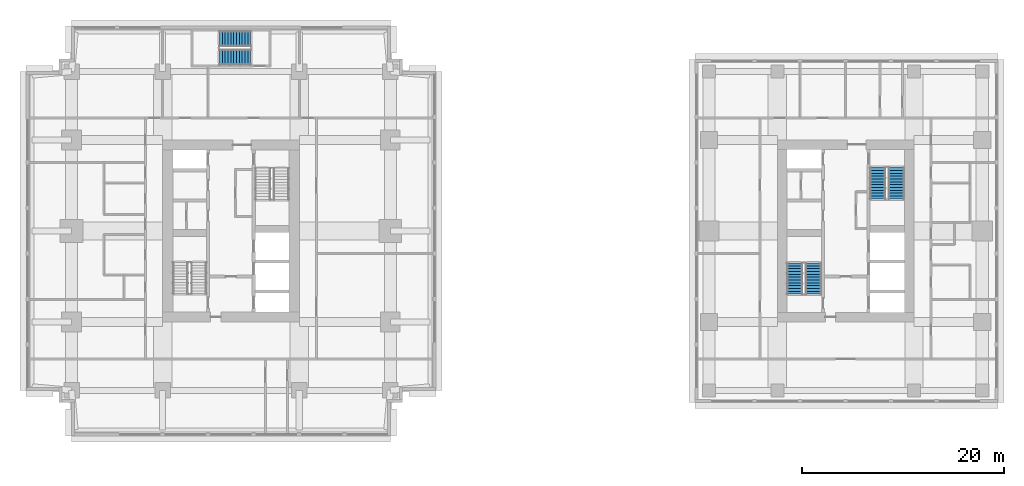
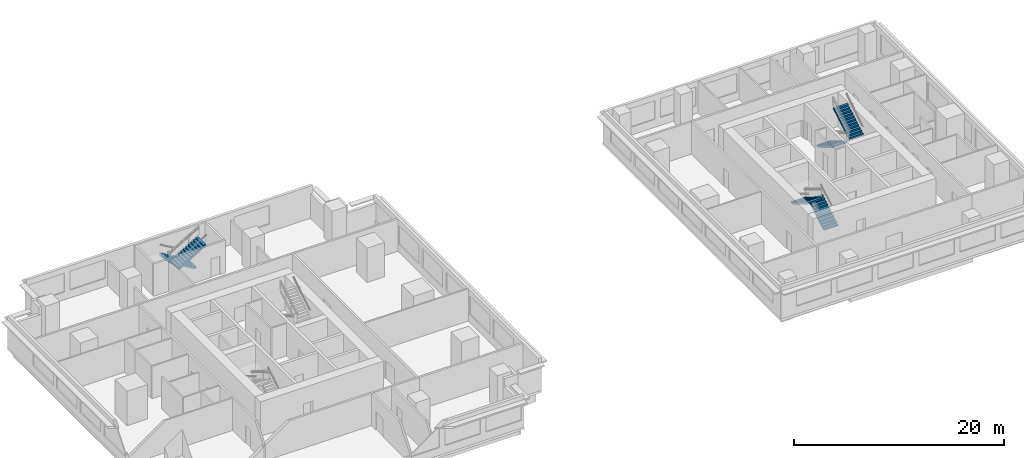
# One storey, part 9 of 11: 6 stair flights, 3 elements without a shape of their own.
"""IFC4 building model written with IfcOpenShell, lengths in metres."""

from ifc_helpers import new_model, si_unit, direction, frame, origin, place, context, subcontext, project, spatial, polyline, outline, extrude, material, type_object, element, aggregate, save


model = new_model("IFC4")

# Units and contexts
model_context = context("Model", 3, precision=1e-05, world=origin(), true_north=direction((0.0, 1.0)))
body_context = subcontext(model_context, "Body", "Model", "MODEL_VIEW")
ifc_project = project(units=[si_unit("LENGTHUNIT", "METRE"), si_unit("AREAUNIT", "SQUARE_METRE"), si_unit("VOLUMEUNIT", "CUBIC_METRE"), si_unit("PLANEANGLEUNIT", "RADIAN"), si_unit("MASSUNIT", "GRAM", prefix="KILO")], contexts=[model_context])

# Site, building, storey
site_placement = place(None, origin())
site = spatial("IfcSite", under=ifc_project, at=site_placement, CompositionType="ELEMENT")
building_placement = place(site_placement, origin())
building = spatial("IfcBuilding", under=site, at=building_placement, Name="Namib Vertical Campus", CompositionType="ELEMENT")
storey_placement = place(building_placement, frame((0.0, 0.0, 209.0)))
storey = spatial("IfcBuildingStorey", under=building, at=storey_placement, Name="L49", CompositionType="ELEMENT", Elevation=209.0)

# Stair, stair flights
ifc_material_1 = material(Name="Concrete C40/50 precast", Category="concrete")
stair_type_1 = type_object("IfcStairType", Name="Exit stair 4000 rise 24 risers 3350 wide", PredefinedType="HALF_TURN_STAIR", material=ifc_material_1)
stair_1_placement = place(storey_placement, origin())
stair_1 = element("IfcStair", 1, at=stair_1_placement, inside=storey, type_object=stair_type_1, Name="Exit stair A-S3 L49", PredefinedType="HALF_TURN_STAIR")
ifc_material_2 = material(Name="Concrete C40/50 precast", Category="concrete")
stair_flight_type_1 = type_object("IfcStairFlightType", Name="Stair flight 12 risers 167 1525 wide", PredefinedType="STRAIGHT", material=ifc_material_2)
stair_flight_1_placement = place(storey_placement, frame((22.199951171875, 39.237548828125, 0.0), z_axis=(0.0, 0.0, 1.0), x_axis=(-1.0, 0.0, 0.0)))
stair_flight_1 = element("IfcStairFlight", 2, at=stair_flight_1_placement, type_object=stair_flight_type_1, Name="A-S3 flight 1", NumberOfRisers=12, NumberOfTreads=11, PredefinedType="STRAIGHT", RiserHeight=0.166666667, TreadLength=0.28, context=body_context, shape_type="SweptSolid", body=[
    extrude(outline(polyline([(0.0, 0.0), (0.0, 0.166748046875), (0.280029296875, 0.166748046875), (0.280029296875, 0.333251953125), (0.56005859375, 0.333251953125), (0.56005859375, 0.5), (0.840087890625, 0.5), (0.840087890625, 0.666748046875), (1.1201171875, 0.666748046875), (1.1201171875, 0.833251953125), (1.39990234375, 0.833251953125), (1.39990234375, 1.0), (1.679931640625, 1.0), (1.679931640625, 1.166748046875), (1.9599609375, 1.166748046875), (1.9599609375, 1.333251953125), (2.239990234375, 1.333251953125), (2.239990234375, 1.5), (2.52001953125, 1.5), (2.52001953125, 1.666748046875), (2.800048828125, 1.666748046875), (2.800048828125, 1.833251953125), (3.080078125, 1.833251953125), (3.080078125, 2.0), (3.080078125, 1.658935546875), (0.29296875, 0.0), (0.0, 0.0)])), frame((0.0, 0.762451171875, 0.0), z_axis=(0.0, -1.0, 0.0), x_axis=(1.0, 0.0, 0.0)), (0.0, 0.0, 1.0), 1.52490234375),
])
stair_flight_2_placement = place(storey_placement, frame((19.1201171875, 37.41259765625, 2.0), z_axis=(0.0, 0.0, 1.0), x_axis=(1.0, 0.0, 0.0)))
stair_flight_2 = element("IfcStairFlight", 3, at=stair_flight_2_placement, type_object=stair_flight_type_1, Name="A-S3 flight 2", NumberOfRisers=12, NumberOfTreads=11, PredefinedType="STRAIGHT", RiserHeight=0.166666667, TreadLength=0.28, context=body_context, shape_type="SweptSolid", body=[
    extrude(outline(polyline([(0.0, 0.0), (0.0, 0.166748046875), (0.280029296875, 0.166748046875), (0.280029296875, 0.333251953125), (0.56005859375, 0.333251953125), (0.56005859375, 0.5), (0.840087890625, 0.5), (0.840087890625, 0.666748046875), (1.1201171875, 0.666748046875), (1.1201171875, 0.833251953125), (1.39990234375, 0.833251953125), (1.39990234375, 1.0), (1.679931640625, 1.0), (1.679931640625, 1.166748046875), (1.9599609375, 1.166748046875), (1.9599609375, 1.333251953125), (2.239990234375, 1.333251953125), (2.239990234375, 1.5), (2.52001953125, 1.5), (2.52001953125, 1.666748046875), (2.800048828125, 1.666748046875), (2.800048828125, 1.833251953125), (3.080078125, 1.833251953125), (3.080078125, 2.0), (3.080078125, 1.658935546875), (0.29296875, 0.0), (0.0, 0.0)])), frame((0.0, 0.762451171875, 0.0), z_axis=(0.0, -1.0, 0.0), x_axis=(1.0, 0.0, 0.0)), (0.0, 0.0, 1.0), 1.52490234375),
])
aggregate(stair_1, [stair_flight_1, stair_flight_2])

ifc_material_3 = material(Name="Concrete C40/50 precast", Category="concrete")
stair_type_2 = type_object("IfcStairType", Name="Exit stair 4000 rise 24 risers 3400 wide", PredefinedType="HALF_TURN_STAIR", material=ifc_material_3)
stair_2_placement = place(storey_placement, origin())
stair_2 = element("IfcStair", 4, at=stair_2_placement, inside=storey, type_object=stair_type_2, Name="Exit stair B-S1 L49", PredefinedType="HALF_TURN_STAIR")
ifc_material_4 = material(Name="Concrete C40/50 precast", Category="concrete")
stair_flight_type_2 = type_object("IfcStairFlightType", Name="Stair flight 12 risers 167 1550 wide", PredefinedType="STRAIGHT", material=ifc_material_4)
stair_flight_3_placement = place(storey_placement, frame((77.824951171875, 14.0, 0.0), z_axis=(0.0, 0.0, 1.0), x_axis=(0.0, 1.0, 0.0)))
stair_flight_3 = element("IfcStairFlight", 5, at=stair_flight_3_placement, type_object=stair_flight_type_2, Name="B-S1 flight 1", NumberOfRisers=12, NumberOfTreads=11, PredefinedType="STRAIGHT", RiserHeight=0.166666667, TreadLength=0.28, context=body_context, shape_type="SweptSolid", body=[
    extrude(outline(polyline([(0.0, 0.0), (0.0, 0.166748046875), (0.280029296875, 0.166748046875), (0.280029296875, 0.333251953125), (0.56005859375, 0.333251953125), (0.56005859375, 0.5), (0.840087890625, 0.5), (0.840087890625, 0.666748046875), (1.1201171875, 0.666748046875), (1.1201171875, 0.833251953125), (1.39990234375, 0.833251953125), (1.39990234375, 1.0), (1.679931640625, 1.0), (1.679931640625, 1.166748046875), (1.9599609375, 1.166748046875), (1.9599609375, 1.333251953125), (2.239990234375, 1.333251953125), (2.239990234375, 1.5), (2.52001953125, 1.5), (2.52001953125, 1.666748046875), (2.800048828125, 1.666748046875), (2.800048828125, 1.833251953125), (3.080078125, 1.833251953125), (3.080078125, 2.0), (3.080078125, 1.658935546875), (0.29296875, 0.0), (0.0, 0.0)])), frame((0.0, 0.77490234375, 0.0), z_axis=(0.0, -1.0, 0.0), x_axis=(1.0, 0.0, 0.0)), (0.0, 0.0, 1.0), 1.550048828125),
])
stair_flight_4_placement = place(storey_placement, frame((75.97509765625, 17.080078125, 2.0), z_axis=(0.0, 0.0, 1.0), x_axis=(0.0, -1.0, 0.0)))
stair_flight_4 = element("IfcStairFlight", 6, at=stair_flight_4_placement, type_object=stair_flight_type_2, Name="B-S1 flight 2", NumberOfRisers=12, NumberOfTreads=11, PredefinedType="STRAIGHT", RiserHeight=0.166666667, TreadLength=0.28, context=body_context, shape_type="SweptSolid", body=[
    extrude(outline(polyline([(0.0, 0.0), (0.0, 0.166748046875), (0.280029296875, 0.166748046875), (0.280029296875, 0.333251953125), (0.56005859375, 0.333251953125), (0.56005859375, 0.5), (0.840087890625, 0.5), (0.840087890625, 0.666748046875), (1.1201171875, 0.666748046875), (1.1201171875, 0.833251953125), (1.39990234375, 0.833251953125), (1.39990234375, 1.0), (1.679931640625, 1.0), (1.679931640625, 1.166748046875), (1.9599609375, 1.166748046875), (1.9599609375, 1.333251953125), (2.239990234375, 1.333251953125), (2.239990234375, 1.5), (2.52001953125, 1.5), (2.52001953125, 1.666748046875), (2.800048828125, 1.666748046875), (2.800048828125, 1.833251953125), (3.080078125, 1.833251953125), (3.080078125, 2.0), (3.080078125, 1.658935546875), (0.29296875, 0.0), (0.0, 0.0)])), frame((0.0, 0.77490234375, 0.0), z_axis=(0.0, -1.0, 0.0), x_axis=(1.0, 0.0, 0.0)), (0.0, 0.0, 1.0), 1.550048828125),
])
aggregate(stair_2, [stair_flight_3, stair_flight_4])

stair_3_placement = place(storey_placement, origin())
stair_3 = element("IfcStair", 7, at=stair_3_placement, inside=storey, type_object=stair_type_2, Name="Exit stair B-S2 L49", PredefinedType="HALF_TURN_STAIR")
stair_flight_5_placement = place(storey_placement, frame((84.175048828125, 26.5, 0.0), z_axis=(0.0, 0.0, 1.0), x_axis=(0.0, -1.0, 0.0)))
stair_flight_5 = element("IfcStairFlight", 8, at=stair_flight_5_placement, type_object=stair_flight_type_2, Name="B-S2 flight 1", NumberOfRisers=12, NumberOfTreads=11, PredefinedType="STRAIGHT", RiserHeight=0.166666667, TreadLength=0.28, context=body_context, shape_type="SweptSolid", body=[
    extrude(outline(polyline([(0.0, 0.0), (0.0, 0.166748046875), (0.280029296875, 0.166748046875), (0.280029296875, 0.333251953125), (0.56005859375, 0.333251953125), (0.56005859375, 0.5), (0.840087890625, 0.5), (0.840087890625, 0.666748046875), (1.1201171875, 0.666748046875), (1.1201171875, 0.833251953125), (1.39990234375, 0.833251953125), (1.39990234375, 1.0), (1.679931640625, 1.0), (1.679931640625, 1.166748046875), (1.9599609375, 1.166748046875), (1.9599609375, 1.333251953125), (2.239990234375, 1.333251953125), (2.239990234375, 1.5), (2.52001953125, 1.5), (2.52001953125, 1.666748046875), (2.800048828125, 1.666748046875), (2.800048828125, 1.833251953125), (3.080078125, 1.833251953125), (3.080078125, 2.0), (3.080078125, 1.658935546875), (0.29296875, 0.0), (0.0, 0.0)])), frame((0.0, 0.77490234375, 0.0), z_axis=(0.0, -1.0, 0.0), x_axis=(1.0, 0.0, 0.0)), (0.0, 0.0, 1.0), 1.550048828125),
])
stair_flight_6_placement = place(storey_placement, frame((86.02490234375, 23.419921875, 2.0), z_axis=(0.0, 0.0, 1.0), x_axis=(0.0, 1.0, 0.0)))
stair_flight_6 = element("IfcStairFlight", 9, at=stair_flight_6_placement, type_object=stair_flight_type_2, Name="B-S2 flight 2", NumberOfRisers=12, NumberOfTreads=11, PredefinedType="STRAIGHT", RiserHeight=0.166666667, TreadLength=0.28, context=body_context, shape_type="SweptSolid", body=[
    extrude(outline(polyline([(0.0, 0.0), (0.0, 0.166748046875), (0.280029296875, 0.166748046875), (0.280029296875, 0.333251953125), (0.56005859375, 0.333251953125), (0.56005859375, 0.5), (0.840087890625, 0.5), (0.840087890625, 0.666748046875), (1.1201171875, 0.666748046875), (1.1201171875, 0.833251953125), (1.39990234375, 0.833251953125), (1.39990234375, 1.0), (1.679931640625, 1.0), (1.679931640625, 1.166748046875), (1.9599609375, 1.166748046875), (1.9599609375, 1.333251953125), (2.239990234375, 1.333251953125), (2.239990234375, 1.5), (2.52001953125, 1.5), (2.52001953125, 1.666748046875), (2.800048828125, 1.666748046875), (2.800048828125, 1.833251953125), (3.080078125, 1.833251953125), (3.080078125, 2.0), (3.080078125, 1.658935546875), (0.29296875, 0.0), (0.0, 0.0)])), frame((0.0, 0.77490234375, 0.0), z_axis=(0.0, -1.0, 0.0), x_axis=(1.0, 0.0, 0.0)), (0.0, 0.0, 1.0), 1.550048828125),
])
aggregate(stair_3, [stair_flight_5, stair_flight_6])

save(model, "model.ifc")
